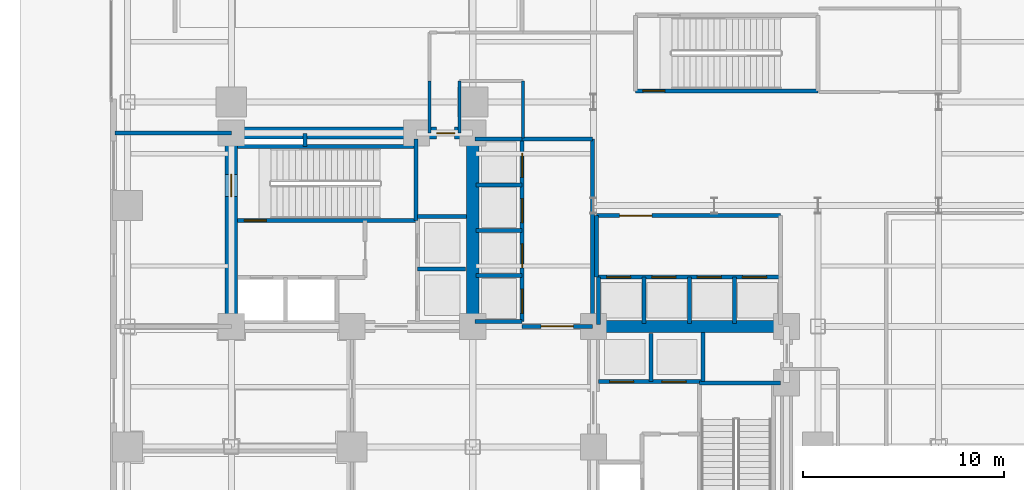
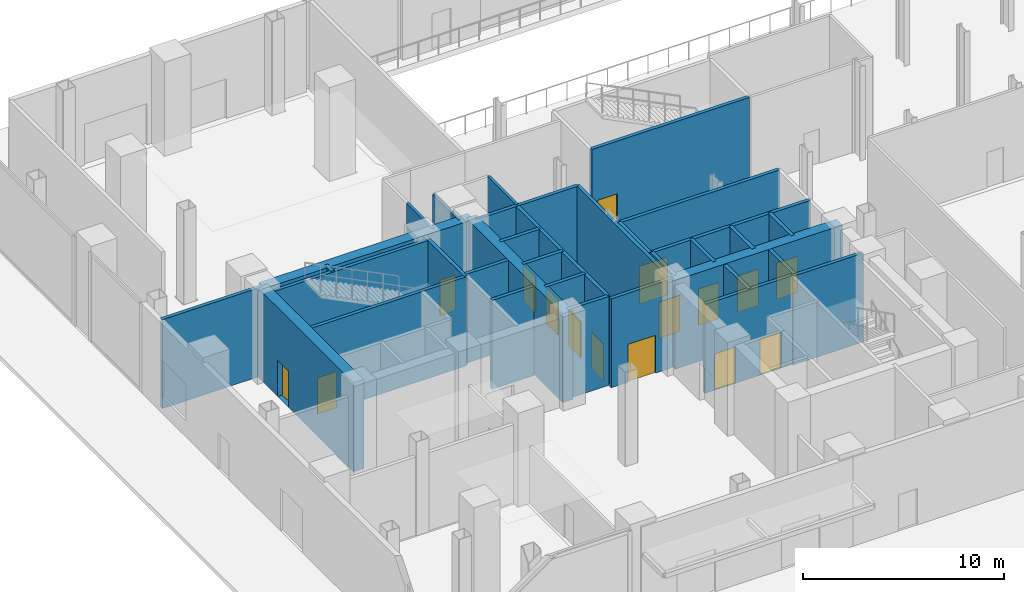
# One storey, part 19 of 27: 35 walls, 16 doors, 16 openings.
"""IFC4 building model written with IfcOpenShell, lengths in metres."""

from ifc_helpers import new_model, si_unit, direction, frame, frame_2d, origin, place, context, subcontext, project, spatial, rectangle, extrude, material, layer, layer_set, type_object, element, fill, save


model = new_model("IFC4")

# Units and contexts
model_context = context("Model", 3, precision=1e-05, world=origin(), true_north=direction((0.0, 1.0)))
body_context = subcontext(model_context, "Body", "Model", "MODEL_VIEW")
ifc_project = project(units=[si_unit("LENGTHUNIT", "METRE"), si_unit("AREAUNIT", "SQUARE_METRE"), si_unit("VOLUMEUNIT", "CUBIC_METRE"), si_unit("PLANEANGLEUNIT", "RADIAN"), si_unit("MASSUNIT", "GRAM", prefix="KILO"), si_unit("THERMODYNAMICTEMPERATUREUNIT", "KELVIN"), si_unit("POWERUNIT", "WATT")], contexts=[model_context])

# Site, building, storey
site_placement = place(None, origin())
site = spatial("IfcSite", under=ifc_project, at=site_placement, CompositionType="ELEMENT")
building_placement = place(site_placement, origin())
building = spatial("IfcBuilding", under=site, at=building_placement, Name="Svarakhadi Broadcast Tower", CompositionType="ELEMENT")
storey_placement = place(building_placement, origin())
storey = spatial("IfcBuildingStorey", under=building, at=storey_placement, Name="L00", CompositionType="ELEMENT", Elevation=0.0)

# Walls
ifc_material_1 = material(Name="Concrete C40/50 (IS 456 M50)", Category="concrete")
ifc_layer_1 = layer(ifc_material_1, 0.199951171875)
ifc_layer_set_1 = layer_set([ifc_layer_1], Name="Concrete C40/50 (IS 456 M50)")
wall_type_1 = type_object("IfcWallType", Name="Wall_Fire_200", PredefinedType="SOLIDWALL", material=ifc_layer_set_1)
wall_1_placement = place(storey_placement, frame((9.659912109375, 26.93994140625, 0.0), z_axis=(0.0, 0.0, 1.0), x_axis=(0.0, 1.0, 0.0)))
element("IfcWall", 1, at=wall_1_placement, inside=storey, type_object=wall_type_1, Name="L00 Wet Riser Shaft East Wall", PredefinedType="SOLIDWALL", context=body_context, shape_type="SweptSolid", body=[
    extrude(rectangle(XDim=0.64013671875, YDim=0.199951171875, at=frame_2d((0.320068359375, 0.0))), origin(), (0.0, 0.0, 1.0), 5.39990234375),
])
wall_2_placement = place(storey_placement, frame((0.219970703125, 27.60009765625, 0.0), z_axis=(0.0, 0.0, 1.0), x_axis=(1.0, 0.0, 0.0)))
element("IfcWall", 2, at=wall_2_placement, inside=storey, type_object=wall_type_1, Name="L00 Exit Passageway West Wall", PredefinedType="SOLIDWALL", context=body_context, shape_type="SweptSolid", body=[
    extrude(rectangle(XDim=5.780029296875, YDim=0.199951171875, at=frame_2d((2.89013671875, 0.0))), origin(), (0.0, 0.0, 1.0), 5.39990234375),
])
ifc_material_2 = material(Name="Autoclaved Aerated Concrete Blockwork 150 mm", Category="masonry")
ifc_layer_2 = layer(ifc_material_2, 0.14990234375)
ifc_layer_set_2 = layer_set([ifc_layer_2], Name="Autoclaved Aerated Concrete Blockwork 150 mm")
wall_type_2 = type_object("IfcWallType", Name="Wall_Part_150", PredefinedType="PARTITIONING", material=ifc_layer_set_2)
wall_3_placement = place(storey_placement, frame((20.5, 27.35009765625, 0.0), z_axis=(0.0, 0.0, 1.0), x_axis=(0.0, 1.0, 0.0)))
element("IfcWall", 3, at=wall_3_placement, inside=storey, type_object=wall_type_2, Name="L00 Arrival Concourse East Wall", PredefinedType="PARTITIONING", context=body_context, shape_type="SweptSolid", body=[
    extrude(rectangle(XDim=2.849853515625, YDim=0.14990234375, at=frame_2d((1.4248046875, 0.0))), origin(), (0.0, 0.0, 1.0), 5.39990234375),
])
for number, where, z_axis, x_axis, name in (
    (4, (17.35009765625, 30.199951171875, 0.0), (0.0, 0.0, 1.0), (0.0, -1.0, 0.0), "L00 Arrival Concourse East Wall"),
    (5, (15.85009765625, 27.6201171875, 0.0), (0.0, 0.0, 1.0), (0.0, 1.0, 0.0), "L00 Arrival Concourse East Wall"),
):
    element("IfcWall", number, at=place(storey_placement, frame(where, z_axis=z_axis, x_axis=x_axis)), inside=storey, type_object=wall_type_2, Name=name, PredefinedType="PARTITIONING", context=body_context, shape_type="SweptSolid", body=[
        extrude(rectangle(XDim=2.579833984375, YDim=0.14990234375, at=frame_2d((1.2900390625, 0.0))), origin(), (0.0, 0.0, 1.0), 5.39990234375),
    ])

# Wall, opening, door
ifc_material_3 = material(Name="Concrete C50/60 (IS 456 M60)", Category="concrete")
ifc_layer_3 = layer(ifc_material_3, 0.199951171875)
ifc_layer_set_3 = layer_set([ifc_layer_3], Name="Concrete C50/60 (IS 456 M60)")
wall_type_3 = type_object("IfcWallType", Name="Wall_Shear_200", PredefinedType="SHEAR", material=ifc_layer_set_3)
wall_4_placement = place(storey_placement, frame((6.300048828125, 23.260009765625, 0.0), z_axis=(0.0, 0.0, 1.0), x_axis=(1.0, 0.0, 0.0)))
wall_4 = element("IfcWall", 6, at=wall_4_placement, inside=storey, type_object=wall_type_3, Name="L00 Stair ST-01 South RC Shaft Wall", PredefinedType="SHEAR", context=body_context, shape_type="SweptSolid", body=[
    extrude(rectangle(XDim=8.8798828125, YDim=0.199951171875, at=frame_2d((4.43994140625, 0.0))), origin(), (0.0, 0.0, 1.0), 5.39990234375),
])
opening_1_placement = place(wall_4_placement, frame((0.35009765625, 0.0, 0.0)))
opening_1 = element("IfcOpeningElement", 7, at=opening_1_placement, cuts=wall_4, Name="Opening D-01", PredefinedType="OPENING", context=body_context, shape_type="SweptSolid", body=[
    extrude(rectangle(XDim=1.10009765625, YDim=2.199951171875, at=frame_2d((0.550048828125, 1.10009765625))), frame((0.0, 0.10986328125, 0.0), z_axis=(0.0, -1.0, 0.0), x_axis=(1.0, 0.0, 0.0)), (0.0, 0.0, 1.0), 0.219970703125),
])
ifc_material_4 = material(Name="Galvanised Powder-Coated Fire-Rated Steel Leaf", Category="steel")
door_type_1 = type_object("IfcDoorType", Name="Door_Stair_D01", OperationType="SINGLE_SWING_LEFT", PredefinedType="DOOR", material=ifc_material_4)
door_1_placement = place(opening_1_placement, origin())
door_1 = element("IfcDoor", 8, at=door_1_placement, inside=storey, type_object=door_type_1, Name="L00 Protected Exit Stair ST-01 Fire Door", OperationType="SINGLE_SWING_LEFT", OverallHeight=2.199951171875, OverallWidth=1.10009765625, PredefinedType="DOOR", context=body_context, shape_type="SweptSolid", body=[
    extrude(rectangle(XDim=1.10009765625, YDim=2.199951171875, at=frame_2d((0.550048828125, 1.10009765625))), frame((0.0, 0.02490234375, 0.0), z_axis=(0.0, -1.0, 0.0), x_axis=(1.0, 0.0, 0.0)), (0.0, 0.0, 1.0), 0.050048828125),
])
fill(opening_1, door_1)

# Walls
wall_5_placement = place(storey_placement, frame((6.300048828125, 26.93994140625, 0.0), z_axis=(0.0, 0.0, 1.0), x_axis=(1.0, 0.0, 0.0)))
element("IfcWall", 9, at=wall_5_placement, inside=storey, type_object=wall_type_3, Name="L00 Stair ST-01 North RC Shaft Wall", PredefinedType="SHEAR", context=body_context, shape_type="SweptSolid", body=[
    extrude(rectangle(XDim=8.8798828125, YDim=0.199951171875, at=frame_2d((4.43994140625, 0.0))), origin(), (0.0, 0.0, 1.0), 5.39990234375),
])
for number, where, z_axis, x_axis, name in (
    (10, (15.179931640625, 23.260009765625, 0.0), (0.0, 0.0, 1.0), (0.0, 1.0, 0.0), "L00 Stair ST-01 East RC Shaft Wall"),
    (11, (29.260009765625, 15.179931640625, 0.0), (0.0, 0.0, 1.0), (1.0, 0.0, 0.0), "L00 Stair ST-02 North RC Shaft Wall"),
):
    element("IfcWall", number, at=place(storey_placement, frame(where, z_axis=z_axis, x_axis=x_axis)), inside=storey, type_object=wall_type_3, Name=name, PredefinedType="SHEAR", context=body_context, shape_type="SweptSolid", body=[
        extrude(rectangle(XDim=4.0400390625, YDim=0.199951171875, at=frame_2d((2.02001953125, 0.0))), origin(), (0.0, 0.0, 1.0), 5.39990234375),
    ])
wall_6_placement = place(storey_placement, frame((15.25, 20.85009765625, 0.0), z_axis=(0.0, 0.0, 1.0), x_axis=(1.0, 0.0, 0.0)))
element("IfcWall", 12, at=wall_6_placement, inside=storey, type_object=wall_type_3, Name="L00 High-Rise Lift LF-13/14 Divider", PredefinedType="SHEAR", context=body_context, shape_type="SweptSolid", body=[
    extrude(rectangle(XDim=2.39990234375, YDim=0.199951171875, at=frame_2d((1.199951171875, 0.0))), origin(), (0.0, 0.0, 1.0), 5.39990234375),
])
wall_7_placement = place(storey_placement, frame((15.25, 23.449951171875, 0.0), z_axis=(0.0, 0.0, 1.0), x_axis=(1.0, 0.0, 0.0)))
element("IfcWall", 13, at=wall_7_placement, inside=storey, type_object=wall_type_3, Name="L00 High-Rise Lift LF-13/14 North Wall", PredefinedType="SHEAR", context=body_context, shape_type="SweptSolid", body=[
    extrude(rectangle(XDim=2.449951171875, YDim=0.199951171875, at=frame_2d((1.22509765625, 0.0))), origin(), (0.0, 0.0, 1.0), 5.39990234375),
])

# Wall, openings, doors
wall_8_placement = place(storey_placement, frame((24.25, 15.25, 0.0), z_axis=(0.0, 0.0, 1.0), x_axis=(1.0, 0.0, 0.0)))
wall_8 = element("IfcWall", 14, at=wall_8_placement, inside=storey, type_object=wall_type_3, Name="L00 High-Rise Lift LF-15/16 South Shaft Wall", PredefinedType="SHEAR", context=body_context, shape_type="SweptSolid", body=[
    extrude(rectangle(XDim=5.199951171875, YDim=0.199951171875, at=frame_2d((2.60009765625, 0.0))), origin(), (0.0, 0.0, 1.0), 5.39990234375),
])
opening_2_placement = place(wall_8_placement, frame((0.550048828125, 0.0, 0.0)))
opening_2 = element("IfcOpeningElement", 15, at=opening_2_placement, cuts=wall_8, Name="Opening LD-02", PredefinedType="OPENING", context=body_context, shape_type="SweptSolid", body=[
    extrude(rectangle(XDim=1.199951171875, YDim=2.199951171875, at=frame_2d((0.60009765625, 1.10009765625))), frame((0.0, 0.10986328125, 0.0), z_axis=(0.0, -1.0, 0.0), x_axis=(1.0, 0.0, 0.0)), (0.0, 0.0, 1.0), 0.219970703125),
])
opening_3_placement = place(wall_8_placement, frame((3.14990234375, 0.0, 0.0)))
opening_3 = element("IfcOpeningElement", 16, at=opening_3_placement, cuts=wall_8, Name="Opening LD-02", PredefinedType="OPENING", context=body_context, shape_type="SweptSolid", body=[
    extrude(rectangle(XDim=1.199951171875, YDim=2.199951171875, at=frame_2d((0.60009765625, 1.10009765625))), frame((0.0, 0.10986328125, 0.0), z_axis=(0.0, -1.0, 0.0), x_axis=(1.0, 0.0, 0.0)), (0.0, 0.0, 1.0), 0.219970703125),
])
door_type_2 = type_object("IfcDoorType", Name="Door_Lift_LD02", OperationType="SLIDING_TO_RIGHT", PredefinedType="DOOR", material=ifc_material_4)
door_2_placement = place(opening_2_placement, origin())
door_2 = element("IfcDoor", 17, at=door_2_placement, inside=storey, type_object=door_type_2, Name="L00 High-Rise Lift LF-15 Landing Door", OperationType="SLIDING_TO_RIGHT", OverallHeight=2.199951171875, OverallWidth=1.199951171875, PredefinedType="DOOR", context=body_context, shape_type="SweptSolid", body=[
    extrude(rectangle(XDim=1.199951171875, YDim=2.199951171875, at=frame_2d((0.60009765625, 1.10009765625))), frame((0.0, 0.02490234375, 0.0), z_axis=(0.0, -1.0, 0.0), x_axis=(1.0, 0.0, 0.0)), (0.0, 0.0, 1.0), 0.050048828125),
])
fill(opening_2, door_2)
door_3_placement = place(opening_3_placement, origin())
door_3 = element("IfcDoor", 18, at=door_3_placement, inside=storey, type_object=door_type_2, Name="L00 High-Rise Lift LF-16 Landing Door", OperationType="SLIDING_TO_RIGHT", OverallHeight=2.199951171875, OverallWidth=1.199951171875, PredefinedType="DOOR", context=body_context, shape_type="SweptSolid", body=[
    extrude(rectangle(XDim=1.199951171875, YDim=2.199951171875, at=frame_2d((0.60009765625, 1.10009765625))), frame((0.0, 0.02490234375, 0.0), z_axis=(0.0, -1.0, 0.0), x_axis=(1.0, 0.0, 0.0)), (0.0, 0.0, 1.0), 0.050048828125),
])
fill(opening_3, door_3)

# Walls
wall_9_placement = place(storey_placement, frame((26.85009765625, 15.25, 0.0), z_axis=(0.0, 0.0, 1.0), x_axis=(0.0, 1.0, 0.0)))
element("IfcWall", 19, at=wall_9_placement, inside=storey, type_object=wall_type_3, Name="L00 High-Rise Lift LF-15/16 Divider", PredefinedType="SHEAR", context=body_context, shape_type="SweptSolid", body=[
    extrude(rectangle(XDim=2.39990234375, YDim=0.199951171875, at=frame_2d((1.199951171875, 0.0))), origin(), (0.0, 0.0, 1.0), 5.39990234375),
])
wall_10_placement = place(storey_placement, frame((29.449951171875, 15.25, 0.0), z_axis=(0.0, 0.0, 1.0), x_axis=(0.0, 1.0, 0.0)))
element("IfcWall", 20, at=wall_10_placement, inside=storey, type_object=wall_type_3, Name="L00 High-Rise Lift LF-15/16 East Wall", PredefinedType="SHEAR", context=body_context, shape_type="SweptSolid", body=[
    extrude(rectangle(XDim=2.449951171875, YDim=0.199951171875, at=frame_2d((1.22509765625, 0.0))), origin(), (0.0, 0.0, 1.0), 5.39990234375),
])
for number, where, z_axis, x_axis, name in (
    (21, (18.10009765625, 27.300048828125, 0.0), (0.0, 0.0, 1.0), (1.0, 0.0, 0.0), "L00 Bank A North Shaft Wall"),
    (22, (18.10009765625, 18.25, 0.0), (0.0, 0.0, 1.0), (1.0, 0.0, 0.0), "L00 Bank A South Shaft Wall"),
):
    element("IfcWall", number, at=place(storey_placement, frame(where, z_axis=z_axis, x_axis=x_axis)), inside=storey, type_object=wall_type_3, Name=name, PredefinedType="SHEAR", context=body_context, shape_type="SweptSolid", body=[
        extrude(rectangle(XDim=2.349853515625, YDim=0.199951171875, at=frame_2d((1.1748046875, 0.0))), origin(), (0.0, 0.0, 1.0), 5.39990234375),
    ])

# Wall, openings, doors
wall_11_placement = place(storey_placement, frame((20.449951171875, 18.25, 0.0), z_axis=(0.0, 0.0, 1.0), x_axis=(0.0, 1.0, 0.0)))
wall_11 = element("IfcWall", 23, at=wall_11_placement, inside=storey, type_object=wall_type_3, Name="L00 Bank A East Landing Wall", PredefinedType="SHEAR", context=body_context, shape_type="SweptSolid", body=[
    extrude(rectangle(XDim=9.050048828125, YDim=0.199951171875, at=frame_2d((4.52490234375, 0.0))), origin(), (0.0, 0.0, 1.0), 5.39990234375),
])
opening_4_placement = place(wall_11_placement, frame((0.39990234375, 0.0, 0.0)))
opening_4 = element("IfcOpeningElement", 24, at=opening_4_placement, cuts=wall_11, Name="Opening LD-02", PredefinedType="OPENING", context=body_context, shape_type="SweptSolid", body=[
    extrude(rectangle(XDim=1.199951171875, YDim=2.199951171875, at=frame_2d((0.60009765625, 1.10009765625))), frame((0.0, 0.10986328125, 0.0), z_axis=(0.0, -1.0, 0.0), x_axis=(1.0, 0.0, 0.0)), (0.0, 0.0, 1.0), 0.219970703125),
])
opening_5_placement = place(wall_11_placement, frame((2.64990234375, 0.0, 0.0)))
opening_5 = element("IfcOpeningElement", 25, at=opening_5_placement, cuts=wall_11, Name="Opening LD-02", PredefinedType="OPENING", context=body_context, shape_type="SweptSolid", body=[
    extrude(rectangle(XDim=1.199951171875, YDim=2.199951171875, at=frame_2d((0.60009765625, 1.10009765625))), frame((0.0, 0.10986328125, 0.0), z_axis=(0.0, -1.0, 0.0), x_axis=(1.0, 0.0, 0.0)), (0.0, 0.0, 1.0), 0.219970703125),
])
opening_6_placement = place(wall_11_placement, frame((4.89990234375, 0.0, 0.0)))
opening_6 = element("IfcOpeningElement", 26, at=opening_6_placement, cuts=wall_11, Name="Opening LD-02", PredefinedType="OPENING", context=body_context, shape_type="SweptSolid", body=[
    extrude(rectangle(XDim=1.199951171875, YDim=2.199951171875, at=frame_2d((0.60009765625, 1.10009765625))), frame((0.0, 0.10986328125, 0.0), z_axis=(0.0, -1.0, 0.0), x_axis=(1.0, 0.0, 0.0)), (0.0, 0.0, 1.0), 0.219970703125),
])
opening_7_placement = place(wall_11_placement, frame((7.14990234375, 0.0, 0.0)))
opening_7 = element("IfcOpeningElement", 27, at=opening_7_placement, cuts=wall_11, Name="Opening LD-02", PredefinedType="OPENING", context=body_context, shape_type="SweptSolid", body=[
    extrude(rectangle(XDim=1.199951171875, YDim=2.199951171875, at=frame_2d((0.60009765625, 1.10009765625))), frame((0.0, 0.10986328125, 0.0), z_axis=(0.0, -1.0, 0.0), x_axis=(1.0, 0.0, 0.0)), (0.0, 0.0, 1.0), 0.219970703125),
])
door_4_placement = place(opening_4_placement, origin())
door_4 = element("IfcDoor", 28, at=door_4_placement, inside=storey, type_object=door_type_2, Name="L00 Low-Rise Lift LF-05 Landing Door", OperationType="SLIDING_TO_RIGHT", OverallHeight=2.199951171875, OverallWidth=1.199951171875, PredefinedType="DOOR", context=body_context, shape_type="SweptSolid", body=[
    extrude(rectangle(XDim=1.199951171875, YDim=2.199951171875, at=frame_2d((0.60009765625, 1.10009765625))), frame((0.0, 0.02490234375, 0.0), z_axis=(0.0, -1.0, 0.0), x_axis=(1.0, 0.0, 0.0)), (0.0, 0.0, 1.0), 0.050048828125),
])
fill(opening_4, door_4)
door_5_placement = place(opening_5_placement, origin())
door_5 = element("IfcDoor", 29, at=door_5_placement, inside=storey, type_object=door_type_2, Name="L00 Low-Rise Lift LF-06 Landing Door", OperationType="SLIDING_TO_RIGHT", OverallHeight=2.199951171875, OverallWidth=1.199951171875, PredefinedType="DOOR", context=body_context, shape_type="SweptSolid", body=[
    extrude(rectangle(XDim=1.199951171875, YDim=2.199951171875, at=frame_2d((0.60009765625, 1.10009765625))), frame((0.0, 0.02490234375, 0.0), z_axis=(0.0, -1.0, 0.0), x_axis=(1.0, 0.0, 0.0)), (0.0, 0.0, 1.0), 0.050048828125),
])
fill(opening_5, door_5)
door_6_placement = place(opening_6_placement, origin())
door_6 = element("IfcDoor", 30, at=door_6_placement, inside=storey, type_object=door_type_2, Name="L00 Low-Rise Lift LF-07 Landing Door", OperationType="SLIDING_TO_RIGHT", OverallHeight=2.199951171875, OverallWidth=1.199951171875, PredefinedType="DOOR", context=body_context, shape_type="SweptSolid", body=[
    extrude(rectangle(XDim=1.199951171875, YDim=2.199951171875, at=frame_2d((0.60009765625, 1.10009765625))), frame((0.0, 0.02490234375, 0.0), z_axis=(0.0, -1.0, 0.0), x_axis=(1.0, 0.0, 0.0)), (0.0, 0.0, 1.0), 0.050048828125),
])
fill(opening_6, door_6)
door_7_placement = place(opening_7_placement, origin())
door_7 = element("IfcDoor", 31, at=door_7_placement, inside=storey, type_object=door_type_2, Name="L00 Low-Rise Lift LF-08 Landing Door", OperationType="SLIDING_TO_RIGHT", OverallHeight=2.199951171875, OverallWidth=1.199951171875, PredefinedType="DOOR", context=body_context, shape_type="SweptSolid", body=[
    extrude(rectangle(XDim=1.199951171875, YDim=2.199951171875, at=frame_2d((0.60009765625, 1.10009765625))), frame((0.0, 0.02490234375, 0.0), z_axis=(0.0, -1.0, 0.0), x_axis=(1.0, 0.0, 0.0)), (0.0, 0.0, 1.0), 0.050048828125),
])
fill(opening_7, door_7)

# Walls
for number, where, z_axis, x_axis, name in (
    (32, (18.14990234375, 20.52001953125, 0.0), (0.0, 0.0, 1.0), (1.0, 0.0, 0.0), "L00 Bank A Divider"),
    (33, (18.14990234375, 22.77001953125, 0.0), (0.0, 0.0, 1.0), (1.0, 0.0, 0.0), "L00 Bank A Divider"),
    (34, (18.14990234375, 25.02001953125, 0.0), (0.0, 0.0, 1.0), (1.0, 0.0, 0.0), "L00 Bank A Divider"),
):
    element("IfcWall", number, at=place(storey_placement, frame(where, z_axis=z_axis, x_axis=x_axis)), inside=storey, type_object=wall_type_3, Name=name, PredefinedType="SHEAR", context=body_context, shape_type="SweptSolid", body=[
        extrude(rectangle(XDim=2.300048828125, YDim=0.199951171875, at=frame_2d((1.14990234375, 0.0))), origin(), (0.0, 0.0, 1.0), 5.39990234375),
    ])

# Wall, opening, door
wall_12_placement = place(storey_placement, frame((20.449951171875, 18.0, 0.0), z_axis=(0.0, 0.0, 1.0), x_axis=(1.0, 0.0, 0.0)))
wall_12 = element("IfcWall", 35, at=wall_12_placement, inside=storey, type_object=wall_type_3, Name="L00 Bank A Lift Hall South Wall", PredefinedType="SHEAR", context=body_context, shape_type="SweptSolid", body=[
    extrude(rectangle(XDim=3.5, YDim=0.199951171875, at=frame_2d((1.75, 0.0))), origin(), (0.0, 0.0, 1.0), 5.39990234375),
])
opening_8_placement = place(wall_12_placement, frame((0.949951171875, 0.0, 0.0)))
opening_8 = element("IfcOpeningElement", 36, at=opening_8_placement, cuts=wall_12, Name="Opening D-05", PredefinedType="OPENING", context=body_context, shape_type="SweptSolid", body=[
    extrude(rectangle(XDim=1.60009765625, YDim=2.300048828125, at=frame_2d((0.800048828125, 1.14990234375))), frame((0.0, 0.10986328125, 0.0), z_axis=(0.0, -1.0, 0.0), x_axis=(1.0, 0.0, 0.0)), (0.0, 0.0, 1.0), 0.219970703125),
])
ifc_material_5 = material(Name="Anodised Bronze Aluminium AA 6063-T6", Category="aluminium")
door_type_3 = type_object("IfcDoorType", Name="Door_Lobby_D05", OperationType="DOUBLE_DOOR_SLIDING", PredefinedType="DOOR", material=ifc_material_5)
door_8_placement = place(opening_8_placement, origin())
door_8 = element("IfcDoor", 37, at=door_8_placement, inside=storey, type_object=door_type_3, Name="L00 Low-Rise Lift Hall Corridor Door", OperationType="DOUBLE_DOOR_SLIDING", OverallHeight=2.300048828125, OverallWidth=1.60009765625, PredefinedType="DOOR", context=body_context, shape_type="SweptSolid", body=[
    extrude(rectangle(XDim=1.60009765625, YDim=2.300048828125, at=frame_2d((0.800048828125, 1.14990234375))), frame((0.0, 0.02490234375, 0.0), z_axis=(0.0, -1.0, 0.0), x_axis=(1.0, 0.0, 0.0)), (0.0, 0.0, 1.0), 0.050048828125),
])
fill(opening_8, door_8)

# Walls
wall_13_placement = place(storey_placement, frame((20.449951171875, 27.300048828125, 0.0), z_axis=(0.0, 0.0, 1.0), x_axis=(1.0, 0.0, 0.0)))
element("IfcWall", 38, at=wall_13_placement, inside=storey, type_object=wall_type_3, Name="L00 Bank A Lift Hall North Wall", PredefinedType="SHEAR", context=body_context, shape_type="SweptSolid", body=[
    extrude(rectangle(XDim=3.5, YDim=0.199951171875, at=frame_2d((1.75, 0.0))), origin(), (0.0, 0.0, 1.0), 5.39990234375),
])
wall_14_placement = place(storey_placement, frame((23.949951171875, 18.0, 0.0), z_axis=(0.0, 0.0, 1.0), x_axis=(0.0, 1.0, 0.0)))
element("IfcWall", 39, at=wall_14_placement, inside=storey, type_object=wall_type_3, Name="L00 Bank A Lift Hall East Wall", PredefinedType="SHEAR", context=body_context, shape_type="SweptSolid", body=[
    extrude(rectangle(XDim=9.300048828125, YDim=0.199951171875, at=frame_2d((4.64990234375, 0.0))), origin(), (0.0, 0.0, 1.0), 5.39990234375),
])
wall_15_placement = place(storey_placement, frame((24.25, 18.10009765625, 0.0), z_axis=(0.0, 0.0, 1.0), x_axis=(0.0, 1.0, 0.0)))
element("IfcWall", 40, at=wall_15_placement, inside=storey, type_object=wall_type_3, Name="L00 Bank B West Shaft Wall", PredefinedType="SHEAR", context=body_context, shape_type="SweptSolid", body=[
    extrude(rectangle(XDim=2.349853515625, YDim=0.199951171875, at=frame_2d((1.1748046875, 0.0))), origin(), (0.0, 0.0, 1.0), 5.39990234375),
])

# Wall, openings, doors
wall_16_placement = place(storey_placement, frame((24.25, 20.449951171875, 0.0), z_axis=(0.0, 0.0, 1.0), x_axis=(1.0, 0.0, 0.0)))
wall_16 = element("IfcWall", 41, at=wall_16_placement, inside=storey, type_object=wall_type_3, Name="L00 Bank B North Landing Wall", PredefinedType="SHEAR", context=body_context, shape_type="SweptSolid", body=[
    extrude(rectangle(XDim=9.050048828125, YDim=0.199951171875, at=frame_2d((4.52490234375, 0.0))), origin(), (0.0, 0.0, 1.0), 5.39990234375),
])
opening_9_placement = place(wall_16_placement, frame((0.39990234375, 0.0, 0.0)))
opening_9 = element("IfcOpeningElement", 42, at=opening_9_placement, cuts=wall_16, Name="Opening LD-02", PredefinedType="OPENING", context=body_context, shape_type="SweptSolid", body=[
    extrude(rectangle(XDim=1.199951171875, YDim=2.199951171875, at=frame_2d((0.60009765625, 1.10009765625))), frame((0.0, 0.10986328125, 0.0), z_axis=(0.0, -1.0, 0.0), x_axis=(1.0, 0.0, 0.0)), (0.0, 0.0, 1.0), 0.219970703125),
])
opening_10_placement = place(wall_16_placement, frame((2.64990234375, 0.0, 0.0)))
opening_10 = element("IfcOpeningElement", 43, at=opening_10_placement, cuts=wall_16, Name="Opening LD-02", PredefinedType="OPENING", context=body_context, shape_type="SweptSolid", body=[
    extrude(rectangle(XDim=1.199951171875, YDim=2.199951171875, at=frame_2d((0.60009765625, 1.10009765625))), frame((0.0, 0.10986328125, 0.0), z_axis=(0.0, -1.0, 0.0), x_axis=(1.0, 0.0, 0.0)), (0.0, 0.0, 1.0), 0.219970703125),
])
opening_11_placement = place(wall_16_placement, frame((4.89990234375, 0.0, 0.0)))
opening_11 = element("IfcOpeningElement", 44, at=opening_11_placement, cuts=wall_16, Name="Opening LD-02", PredefinedType="OPENING", context=body_context, shape_type="SweptSolid", body=[
    extrude(rectangle(XDim=1.199951171875, YDim=2.199951171875, at=frame_2d((0.60009765625, 1.10009765625))), frame((0.0, 0.10986328125, 0.0), z_axis=(0.0, -1.0, 0.0), x_axis=(1.0, 0.0, 0.0)), (0.0, 0.0, 1.0), 0.219970703125),
])
opening_12_placement = place(wall_16_placement, frame((7.14990234375, 0.0, 0.0)))
opening_12 = element("IfcOpeningElement", 45, at=opening_12_placement, cuts=wall_16, Name="Opening LD-02", PredefinedType="OPENING", context=body_context, shape_type="SweptSolid", body=[
    extrude(rectangle(XDim=1.199951171875, YDim=2.199951171875, at=frame_2d((0.60009765625, 1.10009765625))), frame((0.0, 0.10986328125, 0.0), z_axis=(0.0, -1.0, 0.0), x_axis=(1.0, 0.0, 0.0)), (0.0, 0.0, 1.0), 0.219970703125),
])
door_9_placement = place(opening_9_placement, origin())
door_9 = element("IfcDoor", 46, at=door_9_placement, inside=storey, type_object=door_type_2, Name="L00 Mid-Rise Lift LF-09 Landing Door", OperationType="SLIDING_TO_RIGHT", OverallHeight=2.199951171875, OverallWidth=1.199951171875, PredefinedType="DOOR", context=body_context, shape_type="SweptSolid", body=[
    extrude(rectangle(XDim=1.199951171875, YDim=2.199951171875, at=frame_2d((0.60009765625, 1.10009765625))), frame((0.0, 0.02490234375, 0.0), z_axis=(0.0, -1.0, 0.0), x_axis=(1.0, 0.0, 0.0)), (0.0, 0.0, 1.0), 0.050048828125),
])
fill(opening_9, door_9)
door_10_placement = place(opening_10_placement, origin())
door_10 = element("IfcDoor", 47, at=door_10_placement, inside=storey, type_object=door_type_2, Name="L00 Mid-Rise Lift LF-10 Landing Door", OperationType="SLIDING_TO_RIGHT", OverallHeight=2.199951171875, OverallWidth=1.199951171875, PredefinedType="DOOR", context=body_context, shape_type="SweptSolid", body=[
    extrude(rectangle(XDim=1.199951171875, YDim=2.199951171875, at=frame_2d((0.60009765625, 1.10009765625))), frame((0.0, 0.02490234375, 0.0), z_axis=(0.0, -1.0, 0.0), x_axis=(1.0, 0.0, 0.0)), (0.0, 0.0, 1.0), 0.050048828125),
])
fill(opening_10, door_10)
door_11_placement = place(opening_11_placement, origin())
door_11 = element("IfcDoor", 48, at=door_11_placement, inside=storey, type_object=door_type_2, Name="L00 Mid-Rise Lift LF-11 Landing Door", OperationType="SLIDING_TO_RIGHT", OverallHeight=2.199951171875, OverallWidth=1.199951171875, PredefinedType="DOOR", context=body_context, shape_type="SweptSolid", body=[
    extrude(rectangle(XDim=1.199951171875, YDim=2.199951171875, at=frame_2d((0.60009765625, 1.10009765625))), frame((0.0, 0.02490234375, 0.0), z_axis=(0.0, -1.0, 0.0), x_axis=(1.0, 0.0, 0.0)), (0.0, 0.0, 1.0), 0.050048828125),
])
fill(opening_11, door_11)
door_12_placement = place(opening_12_placement, origin())
door_12 = element("IfcDoor", 49, at=door_12_placement, inside=storey, type_object=door_type_2, Name="L00 Mid-Rise Lift LF-12 Landing Door", OperationType="SLIDING_TO_RIGHT", OverallHeight=2.199951171875, OverallWidth=1.199951171875, PredefinedType="DOOR", context=body_context, shape_type="SweptSolid", body=[
    extrude(rectangle(XDim=1.199951171875, YDim=2.199951171875, at=frame_2d((0.60009765625, 1.10009765625))), frame((0.0, 0.02490234375, 0.0), z_axis=(0.0, -1.0, 0.0), x_axis=(1.0, 0.0, 0.0)), (0.0, 0.0, 1.0), 0.050048828125),
])
fill(opening_12, door_12)

# Walls
for number, where, z_axis, x_axis, name in (
    (50, (26.52001953125, 18.14990234375, 0.0), (0.0, 0.0, 1.0), (0.0, 1.0, 0.0), "L00 Bank B Divider"),
    (51, (28.77001953125, 18.14990234375, 0.0), (0.0, 0.0, 1.0), (0.0, 1.0, 0.0), "L00 Bank B Divider"),
    (52, (31.02001953125, 18.14990234375, 0.0), (0.0, 0.0, 1.0), (0.0, 1.0, 0.0), "L00 Bank B Divider"),
):
    element("IfcWall", number, at=place(storey_placement, frame(where, z_axis=z_axis, x_axis=x_axis)), inside=storey, type_object=wall_type_3, Name=name, PredefinedType="SHEAR", context=body_context, shape_type="SweptSolid", body=[
        extrude(rectangle(XDim=2.300048828125, YDim=0.199951171875, at=frame_2d((1.14990234375, 0.0))), origin(), (0.0, 0.0, 1.0), 5.39990234375),
    ])

# Wall, opening, door
wall_17_placement = place(storey_placement, frame((24.14990234375, 23.5, 0.0), z_axis=(0.0, 0.0, 1.0), x_axis=(1.0, 0.0, 0.0)))
wall_17 = element("IfcWall", 53, at=wall_17_placement, inside=storey, type_object=wall_type_3, Name="L00 Bank B Lift Hall North Wall", PredefinedType="SHEAR", context=body_context, shape_type="SweptSolid", body=[
    extrude(rectangle(XDim=9.150146484375, YDim=0.199951171875, at=frame_2d((4.5751953125, 0.0))), origin(), (0.0, 0.0, 1.0), 5.39990234375),
])
opening_13_placement = place(wall_17_placement, frame((1.14990234375, 0.0, 0.0)))
opening_13 = element("IfcOpeningElement", 54, at=opening_13_placement, cuts=wall_17, Name="Opening D-05", PredefinedType="OPENING", context=body_context, shape_type="SweptSolid", body=[
    extrude(rectangle(XDim=1.60009765625, YDim=2.300048828125, at=frame_2d((0.800048828125, 1.14990234375))), frame((0.0, 0.10986328125, 0.0), z_axis=(0.0, -1.0, 0.0), x_axis=(1.0, 0.0, 0.0)), (0.0, 0.0, 1.0), 0.219970703125),
])
door_13_placement = place(opening_13_placement, origin())
door_13 = element("IfcDoor", 55, at=door_13_placement, inside=storey, type_object=door_type_3, Name="L00 Mid-Rise Lift Hall North Corridor Door", OperationType="DOUBLE_DOOR_SLIDING", OverallHeight=2.300048828125, OverallWidth=1.60009765625, PredefinedType="DOOR", context=body_context, shape_type="SweptSolid", body=[
    extrude(rectangle(XDim=1.60009765625, YDim=2.300048828125, at=frame_2d((0.800048828125, 1.14990234375))), frame((0.0, 0.02490234375, 0.0), z_axis=(0.0, -1.0, 0.0), x_axis=(1.0, 0.0, 0.0)), (0.0, 0.0, 1.0), 0.050048828125),
])
fill(opening_13, door_13)

# Wall
wall_18_placement = place(storey_placement, frame((24.14990234375, 20.449951171875, 0.0), z_axis=(0.0, 0.0, 1.0), x_axis=(0.0, 1.0, 0.0)))
element("IfcWall", 56, at=wall_18_placement, inside=storey, type_object=wall_type_3, Name="L00 Bank B Lift Hall West Wall", PredefinedType="SHEAR", context=body_context, shape_type="SweptSolid", body=[
    extrude(rectangle(XDim=3.050048828125, YDim=0.199951171875, at=frame_2d((1.52490234375, 0.0))), origin(), (0.0, 0.0, 1.0), 5.39990234375),
])

# Wall, opening, door
wall_19_placement = place(storey_placement, frame((26.10009765625, 29.699951171875, 0.0), z_axis=(0.0, 0.0, 1.0), x_axis=(1.0, 0.0, 0.0)))
wall_19 = element("IfcWall", 57, at=wall_19_placement, inside=storey, type_object=wall_type_3, Name="L00 Stair ST-03 South RC Shaft Wall", PredefinedType="SHEAR", context=body_context, shape_type="SweptSolid", body=[
    extrude(rectangle(XDim=9.0498046875, YDim=0.199951171875, at=frame_2d((4.52490234375, 0.0))), origin(), (0.0, 0.0, 1.0), 5.39990234375),
])
opening_14_placement = place(wall_19_placement, frame((0.35009765625, 0.0, 0.0)))
opening_14 = element("IfcOpeningElement", 58, at=opening_14_placement, cuts=wall_19, Name="Opening D-01", PredefinedType="OPENING", context=body_context, shape_type="SweptSolid", body=[
    extrude(rectangle(XDim=1.10009765625, YDim=2.199951171875, at=frame_2d((0.550048828125, 1.10009765625))), frame((0.0, 0.10986328125, 0.0), z_axis=(0.0, -1.0, 0.0), x_axis=(1.0, 0.0, 0.0)), (0.0, 0.0, 1.0), 0.219970703125),
])
door_14_placement = place(opening_14_placement, origin())
door_14 = element("IfcDoor", 59, at=door_14_placement, inside=storey, type_object=door_type_1, Name="L00 Podium Stair ST-03 Fire Door", OperationType="SINGLE_SWING_LEFT", OverallHeight=2.199951171875, OverallWidth=1.10009765625, PredefinedType="DOOR", context=body_context, shape_type="SweptSolid", body=[
    extrude(rectangle(XDim=1.10009765625, YDim=2.199951171875, at=frame_2d((0.550048828125, 1.10009765625))), frame((0.0, 0.02490234375, 0.0), z_axis=(0.0, -1.0, 0.0), x_axis=(1.0, 0.0, 0.0)), (0.0, 0.0, 1.0), 0.050048828125),
])
fill(opening_14, door_14)

ifc_material_6 = material(Name="Concrete C60/75 (IS 456 M70)", Category="concrete")
ifc_layer_4 = layer(ifc_material_6, 0.60009765625)
ifc_layer_set_4 = layer_set([ifc_layer_4], Name="Concrete C60/75 (IS 456 M70)")
wall_type_4 = type_object("IfcWallType", Name="Wall_Shear_600", PredefinedType="SHEAR", material=ifc_layer_set_4)
wall_20_placement = place(storey_placement, frame((6.0, 27.60009765625, 0.0), z_axis=(0.0, 0.0, 1.0), x_axis=(1.0, 0.0, 0.0)))
wall_20 = element("IfcWall", 60, at=wall_20_placement, inside=storey, type_object=wall_type_4, Name="L00 West Core North Shear Wall", PredefinedType="SHEAR", context=body_context, shape_type="SweptSolid", body=[
    extrude(rectangle(XDim=12.0, YDim=0.60009765625, at=frame_2d((6.0, 0.0))), origin(), (0.0, 0.0, 1.0), 5.39990234375),
])
opening_15_placement = place(wall_20_placement, frame((10.199951171875, 0.0, 0.0)))
opening_15 = element("IfcOpeningElement", 61, at=opening_15_placement, cuts=wall_20, Name="Opening D-03", PredefinedType="OPENING", context=body_context, shape_type="SweptSolid", body=[
    extrude(rectangle(XDim=0.89990234375, YDim=2.14990234375, at=frame_2d((0.449951171875, 1.074951171875))), frame((0.0, 0.31005859375, 0.0), z_axis=(0.0, -1.0, 0.0), x_axis=(1.0, 0.0, 0.0)), (0.0, 0.0, 1.0), 0.6201171875),
])
door_type_4 = type_object("IfcDoorType", Name="Door_Fire_D03", OperationType="SINGLE_SWING_LEFT", PredefinedType="DOOR", material=ifc_material_4)
door_15_placement = place(opening_15_placement, origin())
door_15 = element("IfcDoor", 62, at=door_15_placement, inside=storey, type_object=door_type_4, Name="L00 Core Service Room West Door", OperationType="SINGLE_SWING_LEFT", OverallHeight=2.14990234375, OverallWidth=0.89990234375, PredefinedType="DOOR", context=body_context, shape_type="SweptSolid", body=[
    extrude(rectangle(XDim=0.89990234375, YDim=2.14990234375, at=frame_2d((0.449951171875, 1.074951171875))), frame((0.0, 0.02490234375, 0.0), z_axis=(0.0, -1.0, 0.0), x_axis=(1.0, 0.0, 0.0)), (0.0, 0.0, 1.0), 0.050048828125),
])
fill(opening_15, door_15)

wall_21_placement = place(storey_placement, frame((6.0, 18.0, 0.0), z_axis=(0.0, 0.0, 1.0), x_axis=(0.0, 1.0, 0.0)))
wall_21 = element("IfcWall", 63, at=wall_21_placement, inside=storey, type_object=wall_type_4, Name="L00 West Core West Shear Wall", PredefinedType="SHEAR", context=body_context, shape_type="SweptSolid", body=[
    extrude(rectangle(XDim=9.60009765625, YDim=0.60009765625, at=frame_2d((4.800048828125, 0.0))), origin(), (0.0, 0.0, 1.0), 5.39990234375),
])
opening_16_placement = place(wall_21_placement, frame((6.449951171875, 0.0, 0.0)))
opening_16 = element("IfcOpeningElement", 64, at=opening_16_placement, cuts=wall_21, Name="Opening D-02", PredefinedType="OPENING", context=body_context, shape_type="SweptSolid", body=[
    extrude(rectangle(XDim=1.10009765625, YDim=2.199951171875, at=frame_2d((0.550048828125, 1.10009765625))), frame((0.0, 0.31005859375, 0.0), z_axis=(0.0, -1.0, 0.0), x_axis=(1.0, 0.0, 0.0)), (0.0, 0.0, 1.0), 0.6201171875),
])
door_type_5 = type_object("IfcDoorType", Name="Door_Stair_D02", OperationType="SINGLE_SWING_RIGHT", PredefinedType="DOOR", material=ifc_material_4)
door_16_placement = place(opening_16_placement, origin())
door_16 = element("IfcDoor", 65, at=door_16_placement, inside=storey, type_object=door_type_5, Name="L00 Stair ST-01 Final Discharge Door", OperationType="SINGLE_SWING_RIGHT", OverallHeight=2.199951171875, OverallWidth=1.10009765625, PredefinedType="DOOR", context=body_context, shape_type="SweptSolid", body=[
    extrude(rectangle(XDim=1.10009765625, YDim=2.199951171875, at=frame_2d((0.550048828125, 1.10009765625))), frame((0.0, 0.02490234375, 0.0), z_axis=(0.0, -1.0, 0.0), x_axis=(1.0, 0.0, 0.0)), (0.0, 0.0, 1.0), 0.050048828125),
])
fill(opening_16, door_16)

# Walls
for number, where, z_axis, x_axis, name in (
    (66, (18.0, 18.0, 0.0), (0.0, 0.0, 1.0), (0.0, 1.0, 0.0), "L00 West Core East Shear Wall"),
    (67, (24.0, 18.0, 0.0), (0.0, 0.0, 1.0), (1.0, 0.0, 0.0), "L00 East Core North Shear Wall"),
):
    element("IfcWall", number, at=place(storey_placement, frame(where, z_axis=z_axis, x_axis=x_axis)), inside=storey, type_object=wall_type_4, Name=name, PredefinedType="SHEAR", context=body_context, shape_type="SweptSolid", body=[
        extrude(rectangle(XDim=9.60009765625, YDim=0.60009765625, at=frame_2d((4.800048828125, 0.0))), origin(), (0.0, 0.0, 1.0), 5.39990234375),
    ])

save(model, "model.ifc")
